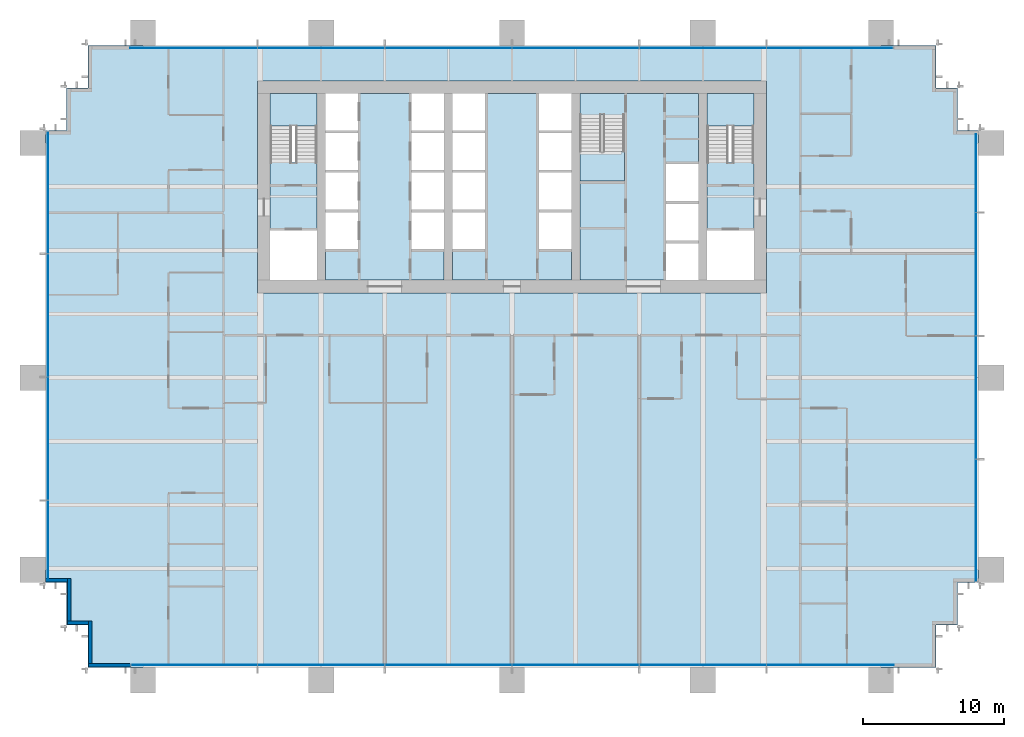
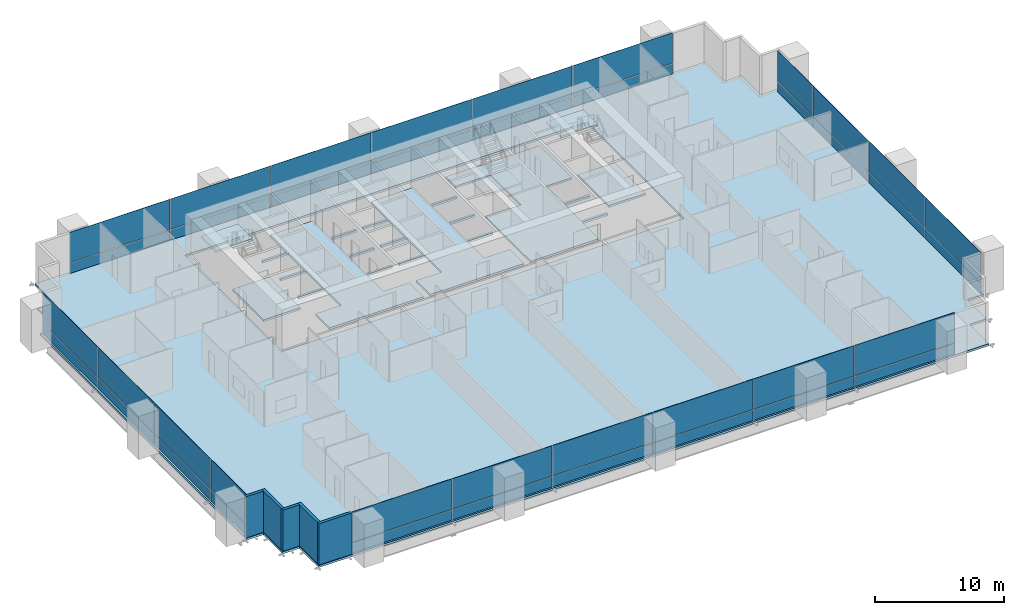
# One storey, part 10 of 18: 40 plates, 9 slabs, 5 walls, 7 elements without a shape of their own.
"""IFC4 building model written with IfcOpenShell, lengths in metres."""

from ifc_helpers import new_model, si_unit, direction, frame, frame_2d, origin, origin_2d, place, context, subcontext, project, spatial, polyline, rectangle, outline, extrude, material, layer, layer_set, type_object, element, aggregate, save


model = new_model("IFC4")

# Units and contexts
model_context = context("Model", 3, precision=1e-05, world=origin(), true_north=direction((0.0, 1.0)))
body_context = subcontext(model_context, "Body", "Model", "MODEL_VIEW")
ifc_project = project(units=[si_unit("LENGTHUNIT", "METRE"), si_unit("AREAUNIT", "SQUARE_METRE"), si_unit("VOLUMEUNIT", "CUBIC_METRE"), si_unit("PLANEANGLEUNIT", "RADIAN"), si_unit("MASSUNIT", "GRAM", prefix="KILO")], contexts=[model_context])

# Site, building, storey
site_placement = place(None, origin())
site = spatial("IfcSite", under=ifc_project, at=site_placement, CompositionType="ELEMENT")
building_placement = place(site_placement, origin())
building = spatial("IfcBuilding", under=site, at=building_placement, Name="Rattan Terrace Tower", CompositionType="ELEMENT")
storey_placement = place(building_placement, frame((0.0, 0.0, 36.5)))
storey = spatial("IfcBuildingStorey", under=building, at=storey_placement, Name="L07", CompositionType="ELEMENT", Elevation=36.5)

# Stair, slab
ifc_material_1 = material(Name="Concrete C40/50", Category="concrete")
stair_type = type_object("IfcStairType", Name="Core exit stair 1500", PredefinedType="HALF_TURN_STAIR", material=ifc_material_1)
stair_1_placement = place(storey_placement, origin())
stair_1 = element("IfcStair", 1, at=stair_1_placement, inside=storey, type_object=stair_type, Name="L07 exit stair 1", PredefinedType="HALF_TURN_STAIR")
ifc_material_2 = material(Name="Concrete C40/50", Category="concrete")
ifc_layer_1 = layer(ifc_material_2, 0.199951171875)
ifc_layer_set_1 = layer_set([ifc_layer_1], Name="Core exit stair landing")
slab_type_1 = type_object("IfcSlabType", Name="Core exit stair landing", PredefinedType="LANDING", material=ifc_layer_set_1)
slab_1_placement = place(storey_placement, frame((0.0, 0.0, 1.85009765625)))
slab_1 = element("IfcSlab", 2, at=slab_1_placement, type_object=slab_type_1, Name="S1 landing 1", PredefinedType="LANDING", context=body_context, shape_type="SweptSolid", body=[
    extrude(outline(polyline([(-13.800048828125, 4.300048828125), (-13.800048828125, 6.60009765625), (-17.10009765625, 6.60009765625), (-17.10009765625, 4.300048828125), (-13.800048828125, 4.300048828125)])), origin(), (0.0, 0.0, 1.0), 0.199951171875),
])
aggregate(stair_1, [slab_1])

stair_2_placement = place(storey_placement, origin())
stair_2 = element("IfcStair", 3, at=stair_2_placement, inside=storey, type_object=stair_type, Name="L07 exit stair 2", PredefinedType="HALF_TURN_STAIR")
slab_2_placement = place(storey_placement, frame((0.0, 0.0, 1.85009765625)))
slab_2 = element("IfcSlab", 4, at=slab_2_placement, type_object=slab_type_1, Name="S2 landing 1", PredefinedType="LANDING", context=body_context, shape_type="SweptSolid", body=[
    extrude(outline(polyline([(17.10009765625, 4.300048828125), (17.10009765625, 6.60009765625), (13.800048828125, 6.60009765625), (13.800048828125, 4.300048828125), (17.10009765625, 4.300048828125)])), origin(), (0.0, 0.0, 1.0), 0.199951171875),
])
aggregate(stair_2, [slab_2])

stair_3_placement = place(storey_placement, origin())
stair_3 = element("IfcStair", 5, at=stair_3_placement, inside=storey, type_object=stair_type, Name="L07 exit stair 3", PredefinedType="HALF_TURN_STAIR")
slab_3_placement = place(storey_placement, frame((0.0, 0.0, 1.85009765625)))
slab_3 = element("IfcSlab", 6, at=slab_3_placement, type_object=slab_type_1, Name="S3 landing 1", PredefinedType="LANDING", context=body_context, shape_type="SweptSolid", body=[
    extrude(outline(polyline([(4.800048828125, 2.5), (4.800048828125, 0.39990234375), (7.949951171875, 0.39990234375), (7.949951171875, 2.5), (4.800048828125, 2.5)])), origin(), (0.0, 0.0, 1.0), 0.199951171875),
])
aggregate(stair_3, [slab_3])

# Curtain wall, plates
ifc_material_3 = material(Name="Aluminium and glass", Category="aluminium")
curtain_wall_type = type_object("IfcCurtainWallType", Name="Facade Unitised Curtain Wall", PredefinedType="NOTDEFINED", material=ifc_material_3)
curtain_wall_1_placement = place(storey_placement, origin())
curtain_wall_1 = element("IfcCurtainWall", 7, at=curtain_wall_1_placement, inside=storey, type_object=curtain_wall_type, Name="Curtain wall L07-1", PredefinedType="NOTDEFINED")
ifc_material_4 = material(Name="Aluminium insulated spandrel panel", Category="aluminium")
ifc_layer_2 = layer(ifc_material_4, 0.028076171875)
ifc_layer_set_2 = layer_set([ifc_layer_2], Name="Facade CW Spandrel Panel")
plate_type_1 = type_object("IfcPlateType", Name="Facade CW Spandrel Panel", PredefinedType="CURTAIN_PANEL", material=ifc_layer_set_2)
plate_1_placement = place(storey_placement, frame((32.830078125, -23.59912109375, 0.0), z_axis=(0.0, 0.0, 1.0), x_axis=(0.0, 1.0, 0.0)))
plate_1 = element("IfcPlate", 8, at=plate_1_placement, type_object=plate_type_1, Name="Panel cwl-L07-001.1.1", PredefinedType="CURTAIN_PANEL", context=body_context, shape_type="SweptSolid", body=[
    extrude(rectangle(XDim=8.592041015625, YDim=0.028076171875, at=origin_2d()), origin(), (0.0, 0.0, 1.0), 0.969970703125),
])
plate_2_placement = place(storey_placement, frame((32.830078125, -14.909423828125, 0.0), z_axis=(0.0, 0.0, 1.0), x_axis=(0.0, 1.0, 0.0)))
plate_2 = element("IfcPlate", 9, at=plate_2_placement, type_object=plate_type_1, Name="Panel cwl-L07-001.2.1", PredefinedType="CURTAIN_PANEL", context=body_context, shape_type="SweptSolid", body=[
    extrude(rectangle(XDim=8.6669921875, YDim=0.028076171875, at=origin_2d()), origin(), (0.0, 0.0, 1.0), 0.969970703125),
])
plate_3_placement = place(storey_placement, frame((32.830078125, -6.1826171875, 0.0), z_axis=(0.0, 0.0, 1.0), x_axis=(0.0, 1.0, 0.0)))
plate_3 = element("IfcPlate", 10, at=plate_3_placement, type_object=plate_type_1, Name="Panel cwl-L07-001.3.1", PredefinedType="CURTAIN_PANEL", context=body_context, shape_type="SweptSolid", body=[
    extrude(rectangle(XDim=8.6669921875, YDim=0.028076171875, at=origin_2d()), origin(), (0.0, 0.0, 1.0), 0.969970703125),
])
plate_4_placement = place(storey_placement, frame((32.830078125, 0.9580078125, 0.0), z_axis=(0.0, 0.0, 1.0), x_axis=(0.0, 1.0, 0.0)))
plate_4 = element("IfcPlate", 11, at=plate_4_placement, type_object=plate_type_1, Name="Panel cwl-L07-001.4.1", PredefinedType="CURTAIN_PANEL", context=body_context, shape_type="SweptSolid", body=[
    extrude(rectangle(XDim=5.493896484375, YDim=0.028076171875, at=origin_2d()), origin(), (0.0, 0.0, 1.0), 0.969970703125),
])

curtain_wall_2_placement = place(storey_placement, origin())
curtain_wall_2 = element("IfcCurtainWall", 12, at=curtain_wall_2_placement, inside=storey, type_object=curtain_wall_type, Name="Curtain wall L07-2", PredefinedType="NOTDEFINED")
plate_5_placement = place(storey_placement, frame((22.485107421875, 9.830078125, 0.0), z_axis=(0.0, 0.0, 1.0), x_axis=(-1.0, 0.0, 0.0)))
plate_5 = element("IfcPlate", 13, at=plate_5_placement, type_object=plate_type_1, Name="Panel cwl-L07-002.1.1", PredefinedType="CURTAIN_PANEL", context=body_context, shape_type="SweptSolid", body=[
    extrude(rectangle(XDim=8.909912109375, YDim=0.028076171875, at=origin_2d()), origin(), (0.0, 0.0, 1.0), 0.969970703125),
])
plate_6_placement = place(storey_placement, frame((13.5, 9.830078125, 0.0), z_axis=(0.0, 0.0, 1.0), x_axis=(-1.0, 0.0, 0.0)))
plate_6 = element("IfcPlate", 14, at=plate_6_placement, type_object=plate_type_1, Name="Panel cwl-L07-002.2.1", PredefinedType="CURTAIN_PANEL", context=body_context, shape_type="SweptSolid", body=[
    extrude(rectangle(XDim=8.93994140625, YDim=0.028076171875, at=origin_2d()), origin(), (0.0, 0.0, 1.0), 0.969970703125),
])
plate_7_placement = place(storey_placement, frame((4.5, 9.830078125, 0.0), z_axis=(0.0, 0.0, 1.0), x_axis=(-1.0, 0.0, 0.0)))
plate_7 = element("IfcPlate", 15, at=plate_7_placement, type_object=plate_type_1, Name="Panel cwl-L07-002.3.1", PredefinedType="CURTAIN_PANEL", context=body_context, shape_type="SweptSolid", body=[
    extrude(rectangle(XDim=8.93994140625, YDim=0.028076171875, at=origin_2d()), origin(), (0.0, 0.0, 1.0), 0.969970703125),
])
plate_8_placement = place(storey_placement, frame((-4.5, 9.830078125, 0.0), z_axis=(0.0, 0.0, 1.0), x_axis=(-1.0, 0.0, 0.0)))
plate_8 = element("IfcPlate", 16, at=plate_8_placement, type_object=plate_type_1, Name="Panel cwl-L07-002.4.1", PredefinedType="CURTAIN_PANEL", context=body_context, shape_type="SweptSolid", body=[
    extrude(rectangle(XDim=8.93994140625, YDim=0.028076171875, at=origin_2d()), origin(), (0.0, 0.0, 1.0), 0.969970703125),
])
plate_9_placement = place(storey_placement, frame((-13.5, 9.830078125, 0.0), z_axis=(0.0, 0.0, 1.0), x_axis=(-1.0, 0.0, 0.0)))
plate_9 = element("IfcPlate", 17, at=plate_9_placement, type_object=plate_type_1, Name="Panel cwl-L07-002.5.1", PredefinedType="CURTAIN_PANEL", context=body_context, shape_type="SweptSolid", body=[
    extrude(rectangle(XDim=8.93994140625, YDim=0.028076171875, at=origin_2d()), origin(), (0.0, 0.0, 1.0), 0.969970703125),
])
plate_10_placement = place(storey_placement, frame((-22.514892578125, 9.830078125, 0.0), z_axis=(0.0, 0.0, 1.0), x_axis=(-1.0, 0.0, 0.0)))
plate_10 = element("IfcPlate", 18, at=plate_10_placement, type_object=plate_type_1, Name="Panel cwl-L07-002.6.1", PredefinedType="CURTAIN_PANEL", context=body_context, shape_type="SweptSolid", body=[
    extrude(rectangle(XDim=8.969970703125, YDim=0.028076171875, at=origin_2d()), origin(), (0.0, 0.0, 1.0), 0.969970703125),
])

curtain_wall_3_placement = place(storey_placement, origin())
curtain_wall_3 = element("IfcCurtainWall", 19, at=curtain_wall_3_placement, inside=storey, type_object=curtain_wall_type, Name="Curtain wall L07-3", PredefinedType="NOTDEFINED")
plate_11_placement = place(storey_placement, frame((-32.830078125, -0.40087890625, 0.0), z_axis=(0.0, 0.0, 1.0), x_axis=(0.0, -1.0, 0.0)))
plate_11 = element("IfcPlate", 20, at=plate_11_placement, type_object=plate_type_1, Name="Panel cwl-L07-003.1.1", PredefinedType="CURTAIN_PANEL", context=body_context, shape_type="SweptSolid", body=[
    extrude(rectangle(XDim=8.592041015625, YDim=0.028076171875, at=origin_2d()), origin(), (0.0, 0.0, 1.0), 0.969970703125),
])
plate_12_placement = place(storey_placement, frame((-32.830078125, -9.090576171875, 0.0), z_axis=(0.0, 0.0, 1.0), x_axis=(0.0, -1.0, 0.0)))
plate_12 = element("IfcPlate", 21, at=plate_12_placement, type_object=plate_type_1, Name="Panel cwl-L07-003.2.1", PredefinedType="CURTAIN_PANEL", context=body_context, shape_type="SweptSolid", body=[
    extrude(rectangle(XDim=8.6669921875, YDim=0.028076171875, at=origin_2d()), origin(), (0.0, 0.0, 1.0), 0.969970703125),
])
plate_13_placement = place(storey_placement, frame((-32.830078125, -17.8173828125, 0.0), z_axis=(0.0, 0.0, 1.0), x_axis=(0.0, -1.0, 0.0)))
plate_13 = element("IfcPlate", 22, at=plate_13_placement, type_object=plate_type_1, Name="Panel cwl-L07-003.3.1", PredefinedType="CURTAIN_PANEL", context=body_context, shape_type="SweptSolid", body=[
    extrude(rectangle(XDim=8.6669921875, YDim=0.028076171875, at=origin_2d()), origin(), (0.0, 0.0, 1.0), 0.969970703125),
])
plate_14_placement = place(storey_placement, frame((-32.830078125, -24.9580078125, 0.0), z_axis=(0.0, 0.0, 1.0), x_axis=(0.0, -1.0, 0.0)))
plate_14 = element("IfcPlate", 23, at=plate_14_placement, type_object=plate_type_1, Name="Panel cwl-L07-003.4.1", PredefinedType="CURTAIN_PANEL", context=body_context, shape_type="SweptSolid", body=[
    extrude(rectangle(XDim=5.493896484375, YDim=0.028076171875, at=origin_2d()), origin(), (0.0, 0.0, 1.0), 0.969970703125),
])

curtain_wall_4_placement = place(storey_placement, origin())
curtain_wall_4 = element("IfcCurtainWall", 24, at=curtain_wall_4_placement, inside=storey, type_object=curtain_wall_type, Name="Curtain wall L07-4", PredefinedType="NOTDEFINED")
plate_15_placement = place(storey_placement, frame((-22.485107421875, -33.830078125, 0.0), z_axis=(0.0, 0.0, 1.0), x_axis=(1.0, 0.0, 0.0)))
plate_15 = element("IfcPlate", 25, at=plate_15_placement, type_object=plate_type_1, Name="Panel cwl-L07-004.1.1", PredefinedType="CURTAIN_PANEL", context=body_context, shape_type="SweptSolid", body=[
    extrude(rectangle(XDim=8.909912109375, YDim=0.028076171875, at=origin_2d()), origin(), (0.0, 0.0, 1.0), 0.969970703125),
])
plate_16_placement = place(storey_placement, frame((-13.5, -33.830078125, 0.0), z_axis=(0.0, 0.0, 1.0), x_axis=(1.0, 0.0, 0.0)))
plate_16 = element("IfcPlate", 26, at=plate_16_placement, type_object=plate_type_1, Name="Panel cwl-L07-004.2.1", PredefinedType="CURTAIN_PANEL", context=body_context, shape_type="SweptSolid", body=[
    extrude(rectangle(XDim=8.93994140625, YDim=0.028076171875, at=origin_2d()), origin(), (0.0, 0.0, 1.0), 0.969970703125),
])
plate_17_placement = place(storey_placement, frame((-4.5, -33.830078125, 0.0), z_axis=(0.0, 0.0, 1.0), x_axis=(1.0, 0.0, 0.0)))
plate_17 = element("IfcPlate", 27, at=plate_17_placement, type_object=plate_type_1, Name="Panel cwl-L07-004.3.1", PredefinedType="CURTAIN_PANEL", context=body_context, shape_type="SweptSolid", body=[
    extrude(rectangle(XDim=8.93994140625, YDim=0.028076171875, at=origin_2d()), origin(), (0.0, 0.0, 1.0), 0.969970703125),
])
plate_18_placement = place(storey_placement, frame((4.5, -33.830078125, 0.0), z_axis=(0.0, 0.0, 1.0), x_axis=(1.0, 0.0, 0.0)))
plate_18 = element("IfcPlate", 28, at=plate_18_placement, type_object=plate_type_1, Name="Panel cwl-L07-004.4.1", PredefinedType="CURTAIN_PANEL", context=body_context, shape_type="SweptSolid", body=[
    extrude(rectangle(XDim=8.93994140625, YDim=0.028076171875, at=origin_2d()), origin(), (0.0, 0.0, 1.0), 0.969970703125),
])
plate_19_placement = place(storey_placement, frame((13.5, -33.830078125, 0.0), z_axis=(0.0, 0.0, 1.0), x_axis=(1.0, 0.0, 0.0)))
plate_19 = element("IfcPlate", 29, at=plate_19_placement, type_object=plate_type_1, Name="Panel cwl-L07-004.5.1", PredefinedType="CURTAIN_PANEL", context=body_context, shape_type="SweptSolid", body=[
    extrude(rectangle(XDim=8.93994140625, YDim=0.028076171875, at=origin_2d()), origin(), (0.0, 0.0, 1.0), 0.969970703125),
])
plate_20_placement = place(storey_placement, frame((22.514892578125, -33.830078125, 0.0), z_axis=(0.0, 0.0, 1.0), x_axis=(1.0, 0.0, 0.0)))
plate_20 = element("IfcPlate", 30, at=plate_20_placement, type_object=plate_type_1, Name="Panel cwl-L07-004.6.1", PredefinedType="CURTAIN_PANEL", context=body_context, shape_type="SweptSolid", body=[
    extrude(rectangle(XDim=8.969970703125, YDim=0.028076171875, at=origin_2d()), origin(), (0.0, 0.0, 1.0), 0.969970703125),
])

# Plate
ifc_material_5 = material(Name="Clear low-iron glass", Category="glass")
ifc_layer_3 = layer(ifc_material_5, 0.028076171875)
ifc_layer_set_3 = layer_set([ifc_layer_3], Name="Facade CW Vision Panel")
plate_type_2 = type_object("IfcPlateType", Name="Facade CW Vision Panel", PredefinedType="CURTAIN_PANEL", material=ifc_layer_set_3)
plate_21_placement = place(storey_placement, frame((32.830078125, -23.59912109375, 1.030029296875), z_axis=(0.0, 0.0, 1.0), x_axis=(0.0, 1.0, 0.0)))
plate_21 = element("IfcPlate", 31, at=plate_21_placement, type_object=plate_type_2, Name="Panel cwl-L07-001.1.2", PredefinedType="CURTAIN_PANEL", context=body_context, shape_type="SweptSolid", body=[
    extrude(rectangle(XDim=8.592041015625, YDim=0.028076171875, at=origin_2d()), origin(), (0.0, 0.0, 1.0), 2.8701171875),
])

plate_22_placement = place(storey_placement, frame((32.830078125, -14.909423828125, 1.030029296875), z_axis=(0.0, 0.0, 1.0), x_axis=(0.0, 1.0, 0.0)))
plate_22 = element("IfcPlate", 32, at=plate_22_placement, type_object=plate_type_2, Name="Panel cwl-L07-001.2.2", PredefinedType="CURTAIN_PANEL", context=body_context, shape_type="SweptSolid", body=[
    extrude(rectangle(XDim=8.6669921875, YDim=0.028076171875, at=origin_2d()), origin(), (0.0, 0.0, 1.0), 2.8701171875),
])

plate_23_placement = place(storey_placement, frame((32.830078125, -6.1826171875, 1.030029296875), z_axis=(0.0, 0.0, 1.0), x_axis=(0.0, 1.0, 0.0)))
plate_23 = element("IfcPlate", 33, at=plate_23_placement, type_object=plate_type_2, Name="Panel cwl-L07-001.3.2", PredefinedType="CURTAIN_PANEL", context=body_context, shape_type="SweptSolid", body=[
    extrude(rectangle(XDim=8.6669921875, YDim=0.028076171875, at=origin_2d()), origin(), (0.0, 0.0, 1.0), 2.8701171875),
])

plate_24_placement = place(storey_placement, frame((32.830078125, 0.9580078125, 1.030029296875), z_axis=(0.0, 0.0, 1.0), x_axis=(0.0, 1.0, 0.0)))
plate_24 = element("IfcPlate", 34, at=plate_24_placement, type_object=plate_type_2, Name="Panel cwl-L07-001.4.2", PredefinedType="CURTAIN_PANEL", context=body_context, shape_type="SweptSolid", body=[
    extrude(rectangle(XDim=5.493896484375, YDim=0.028076171875, at=origin_2d()), origin(), (0.0, 0.0, 1.0), 2.8701171875),
])

aggregate(curtain_wall_1, [plate_1, plate_21, plate_2, plate_22, plate_3, plate_23, plate_4, plate_24])

plate_25_placement = place(storey_placement, frame((22.485107421875, 9.830078125, 1.030029296875), z_axis=(0.0, 0.0, 1.0), x_axis=(-1.0, 0.0, 0.0)))
plate_25 = element("IfcPlate", 35, at=plate_25_placement, type_object=plate_type_2, Name="Panel cwl-L07-002.1.2", PredefinedType="CURTAIN_PANEL", context=body_context, shape_type="SweptSolid", body=[
    extrude(rectangle(XDim=8.909912109375, YDim=0.028076171875, at=origin_2d()), origin(), (0.0, 0.0, 1.0), 2.8701171875),
])

plate_26_placement = place(storey_placement, frame((13.5, 9.830078125, 1.030029296875), z_axis=(0.0, 0.0, 1.0), x_axis=(-1.0, 0.0, 0.0)))
plate_26 = element("IfcPlate", 36, at=plate_26_placement, type_object=plate_type_2, Name="Panel cwl-L07-002.2.2", PredefinedType="CURTAIN_PANEL", context=body_context, shape_type="SweptSolid", body=[
    extrude(rectangle(XDim=8.93994140625, YDim=0.028076171875, at=origin_2d()), origin(), (0.0, 0.0, 1.0), 2.8701171875),
])

plate_27_placement = place(storey_placement, frame((4.5, 9.830078125, 1.030029296875), z_axis=(0.0, 0.0, 1.0), x_axis=(-1.0, 0.0, 0.0)))
plate_27 = element("IfcPlate", 37, at=plate_27_placement, type_object=plate_type_2, Name="Panel cwl-L07-002.3.2", PredefinedType="CURTAIN_PANEL", context=body_context, shape_type="SweptSolid", body=[
    extrude(rectangle(XDim=8.93994140625, YDim=0.028076171875, at=origin_2d()), origin(), (0.0, 0.0, 1.0), 2.8701171875),
])

plate_28_placement = place(storey_placement, frame((-4.5, 9.830078125, 1.030029296875), z_axis=(0.0, 0.0, 1.0), x_axis=(-1.0, 0.0, 0.0)))
plate_28 = element("IfcPlate", 38, at=plate_28_placement, type_object=plate_type_2, Name="Panel cwl-L07-002.4.2", PredefinedType="CURTAIN_PANEL", context=body_context, shape_type="SweptSolid", body=[
    extrude(rectangle(XDim=8.93994140625, YDim=0.028076171875, at=origin_2d()), origin(), (0.0, 0.0, 1.0), 2.8701171875),
])

plate_29_placement = place(storey_placement, frame((-13.5, 9.830078125, 1.030029296875), z_axis=(0.0, 0.0, 1.0), x_axis=(-1.0, 0.0, 0.0)))
plate_29 = element("IfcPlate", 39, at=plate_29_placement, type_object=plate_type_2, Name="Panel cwl-L07-002.5.2", PredefinedType="CURTAIN_PANEL", context=body_context, shape_type="SweptSolid", body=[
    extrude(rectangle(XDim=8.93994140625, YDim=0.028076171875, at=origin_2d()), origin(), (0.0, 0.0, 1.0), 2.8701171875),
])

plate_30_placement = place(storey_placement, frame((-22.514892578125, 9.830078125, 1.030029296875), z_axis=(0.0, 0.0, 1.0), x_axis=(-1.0, 0.0, 0.0)))
plate_30 = element("IfcPlate", 40, at=plate_30_placement, type_object=plate_type_2, Name="Panel cwl-L07-002.6.2", PredefinedType="CURTAIN_PANEL", context=body_context, shape_type="SweptSolid", body=[
    extrude(rectangle(XDim=8.969970703125, YDim=0.028076171875, at=origin_2d()), origin(), (0.0, 0.0, 1.0), 2.8701171875),
])

aggregate(curtain_wall_2, [plate_5, plate_25, plate_6, plate_26, plate_7, plate_27, plate_8, plate_28, plate_9, plate_29, plate_10, plate_30])

plate_31_placement = place(storey_placement, frame((-32.830078125, -0.40087890625, 1.030029296875), z_axis=(0.0, 0.0, 1.0), x_axis=(0.0, -1.0, 0.0)))
plate_31 = element("IfcPlate", 41, at=plate_31_placement, type_object=plate_type_2, Name="Panel cwl-L07-003.1.2", PredefinedType="CURTAIN_PANEL", context=body_context, shape_type="SweptSolid", body=[
    extrude(rectangle(XDim=8.592041015625, YDim=0.028076171875, at=origin_2d()), origin(), (0.0, 0.0, 1.0), 2.8701171875),
])

plate_32_placement = place(storey_placement, frame((-32.830078125, -9.090576171875, 1.030029296875), z_axis=(0.0, 0.0, 1.0), x_axis=(0.0, -1.0, 0.0)))
plate_32 = element("IfcPlate", 42, at=plate_32_placement, type_object=plate_type_2, Name="Panel cwl-L07-003.2.2", PredefinedType="CURTAIN_PANEL", context=body_context, shape_type="SweptSolid", body=[
    extrude(rectangle(XDim=8.6669921875, YDim=0.028076171875, at=origin_2d()), origin(), (0.0, 0.0, 1.0), 2.8701171875),
])

plate_33_placement = place(storey_placement, frame((-32.830078125, -17.8173828125, 1.030029296875), z_axis=(0.0, 0.0, 1.0), x_axis=(0.0, -1.0, 0.0)))
plate_33 = element("IfcPlate", 43, at=plate_33_placement, type_object=plate_type_2, Name="Panel cwl-L07-003.3.2", PredefinedType="CURTAIN_PANEL", context=body_context, shape_type="SweptSolid", body=[
    extrude(rectangle(XDim=8.6669921875, YDim=0.028076171875, at=origin_2d()), origin(), (0.0, 0.0, 1.0), 2.8701171875),
])

plate_34_placement = place(storey_placement, frame((-32.830078125, -24.9580078125, 1.030029296875), z_axis=(0.0, 0.0, 1.0), x_axis=(0.0, -1.0, 0.0)))
plate_34 = element("IfcPlate", 44, at=plate_34_placement, type_object=plate_type_2, Name="Panel cwl-L07-003.4.2", PredefinedType="CURTAIN_PANEL", context=body_context, shape_type="SweptSolid", body=[
    extrude(rectangle(XDim=5.493896484375, YDim=0.028076171875, at=origin_2d()), origin(), (0.0, 0.0, 1.0), 2.8701171875),
])

aggregate(curtain_wall_3, [plate_11, plate_31, plate_12, plate_32, plate_13, plate_33, plate_14, plate_34])

plate_35_placement = place(storey_placement, frame((-22.485107421875, -33.830078125, 1.030029296875), z_axis=(0.0, 0.0, 1.0), x_axis=(1.0, 0.0, 0.0)))
plate_35 = element("IfcPlate", 45, at=plate_35_placement, type_object=plate_type_2, Name="Panel cwl-L07-004.1.2", PredefinedType="CURTAIN_PANEL", context=body_context, shape_type="SweptSolid", body=[
    extrude(rectangle(XDim=8.909912109375, YDim=0.028076171875, at=origin_2d()), origin(), (0.0, 0.0, 1.0), 2.8701171875),
])

plate_36_placement = place(storey_placement, frame((-13.5, -33.830078125, 1.030029296875), z_axis=(0.0, 0.0, 1.0), x_axis=(1.0, 0.0, 0.0)))
plate_36 = element("IfcPlate", 46, at=plate_36_placement, type_object=plate_type_2, Name="Panel cwl-L07-004.2.2", PredefinedType="CURTAIN_PANEL", context=body_context, shape_type="SweptSolid", body=[
    extrude(rectangle(XDim=8.93994140625, YDim=0.028076171875, at=origin_2d()), origin(), (0.0, 0.0, 1.0), 2.8701171875),
])

plate_37_placement = place(storey_placement, frame((-4.5, -33.830078125, 1.030029296875), z_axis=(0.0, 0.0, 1.0), x_axis=(1.0, 0.0, 0.0)))
plate_37 = element("IfcPlate", 47, at=plate_37_placement, type_object=plate_type_2, Name="Panel cwl-L07-004.3.2", PredefinedType="CURTAIN_PANEL", context=body_context, shape_type="SweptSolid", body=[
    extrude(rectangle(XDim=8.93994140625, YDim=0.028076171875, at=origin_2d()), origin(), (0.0, 0.0, 1.0), 2.8701171875),
])

plate_38_placement = place(storey_placement, frame((4.5, -33.830078125, 1.030029296875), z_axis=(0.0, 0.0, 1.0), x_axis=(1.0, 0.0, 0.0)))
plate_38 = element("IfcPlate", 48, at=plate_38_placement, type_object=plate_type_2, Name="Panel cwl-L07-004.4.2", PredefinedType="CURTAIN_PANEL", context=body_context, shape_type="SweptSolid", body=[
    extrude(rectangle(XDim=8.93994140625, YDim=0.028076171875, at=origin_2d()), origin(), (0.0, 0.0, 1.0), 2.8701171875),
])

plate_39_placement = place(storey_placement, frame((13.5, -33.830078125, 1.030029296875), z_axis=(0.0, 0.0, 1.0), x_axis=(1.0, 0.0, 0.0)))
plate_39 = element("IfcPlate", 49, at=plate_39_placement, type_object=plate_type_2, Name="Panel cwl-L07-004.5.2", PredefinedType="CURTAIN_PANEL", context=body_context, shape_type="SweptSolid", body=[
    extrude(rectangle(XDim=8.93994140625, YDim=0.028076171875, at=origin_2d()), origin(), (0.0, 0.0, 1.0), 2.8701171875),
])

plate_40_placement = place(storey_placement, frame((22.514892578125, -33.830078125, 1.030029296875), z_axis=(0.0, 0.0, 1.0), x_axis=(1.0, 0.0, 0.0)))
plate_40 = element("IfcPlate", 50, at=plate_40_placement, type_object=plate_type_2, Name="Panel cwl-L07-004.6.2", PredefinedType="CURTAIN_PANEL", context=body_context, shape_type="SweptSolid", body=[
    extrude(rectangle(XDim=8.969970703125, YDim=0.028076171875, at=origin_2d()), origin(), (0.0, 0.0, 1.0), 2.8701171875),
])

aggregate(curtain_wall_4, [plate_15, plate_35, plate_16, plate_36, plate_17, plate_37, plate_18, plate_38, plate_19, plate_39, plate_20, plate_40])

# Slabs
ifc_material_6 = material(Name="Concrete C35/45", Category="concrete")
ifc_layer_4 = layer(ifc_material_6, 0.199951171875)
ifc_layer_set_4 = layer_set([ifc_layer_4], Name="Frame composite floor slab 200")
slab_type_2 = type_object("IfcSlabType", Name="Frame composite floor slab 200", PredefinedType="FLOOR", material=ifc_layer_set_4)
slab_4_placement = place(storey_placement, frame((0.0, 0.0, -0.199951171875)))
element("IfcSlab", 51, at=slab_4_placement, inside=storey, type_object=slab_type_2, Name="Floor slab", PredefinedType="FLOOR", context=body_context, shape_type="SweptSolid", body=[
    extrude(outline(polyline([(-27.0, -34.0), (27.0, -34.0), (30.0, -34.0), (30.0, -31.0), (31.5, -31.0), (31.5, -28.0), (33.0, -28.0), (33.0, 4.0), (31.5, 4.0), (31.5, 7.0), (30.0, 7.0), (30.0, 10.0), (27.0, 10.0), (-27.0, 10.0), (-30.0, 10.0), (-30.0, 7.0), (-31.5, 7.0), (-31.5, 4.0), (-33.0, 4.0), (-33.0, -28.0), (-31.5, -28.0), (-31.5, -31.0), (-30.0, -31.0), (-30.0, -34.0), (-27.0, -34.0)]), holes=[polyline([(-18.0, -6.60009765625), (-18.0, -7.5), (18.0, -7.5), (18.0, -6.60009765625), (18.0, 6.60009765625), (18.0, 7.5), (-18.0, 7.5), (-18.0, 6.60009765625), (-18.0, -6.60009765625)])]), origin(), (0.0, 0.0, 1.0), 0.199951171875),
])
slab_5_placement = place(storey_placement, frame((0.0, 0.0, -0.199951171875)))
element("IfcSlab", 52, at=slab_5_placement, inside=storey, type_object=slab_type_2, Name="Floor slab", PredefinedType="FLOOR", context=body_context, shape_type="SweptSolid", body=[
    extrude(outline(polyline([(-10.89990234375, 6.60009765625), (-10.89990234375, 4.0), (-13.199951171875, 4.0), (-13.199951171875, 3.800048828125), (-10.89990234375, 3.800048828125), (-10.89990234375, 1.199951171875), (-13.199951171875, 1.199951171875), (-13.199951171875, 1.0), (-10.89990234375, 1.0), (-10.89990234375, -1.60009765625), (-13.199951171875, -1.60009765625), (-13.199951171875, -1.800048828125), (-10.89990234375, -1.800048828125), (-10.89990234375, -4.39990234375), (-13.199951171875, -4.39990234375), (-13.199951171875, -6.60009765625), (-4.800048828125, -6.60009765625), (-4.800048828125, -4.39990234375), (-7.10009765625, -4.39990234375), (-7.10009765625, -1.800048828125), (-4.800048828125, -1.800048828125), (-4.800048828125, -1.60009765625), (-7.10009765625, -1.60009765625), (-7.10009765625, 1.0), (-4.800048828125, 1.0), (-4.800048828125, 1.199951171875), (-7.10009765625, 1.199951171875), (-7.10009765625, 3.800048828125), (-4.800048828125, 3.800048828125), (-4.800048828125, 4.0), (-7.10009765625, 4.0), (-7.10009765625, 6.60009765625), (-10.89990234375, 6.60009765625)])), origin(), (0.0, 0.0, 1.0), 0.199951171875),
])
slab_6_placement = place(storey_placement, frame((0.0, 0.0, -0.199951171875)))
element("IfcSlab", 53, at=slab_6_placement, inside=storey, type_object=slab_type_2, Name="Floor slab", PredefinedType="FLOOR", context=body_context, shape_type="SweptSolid", body=[
    extrude(outline(polyline([(-17.10009765625, -3.10009765625), (-13.800048828125, -3.10009765625), (-13.800048828125, 1.7099609375), (-17.10009765625, 1.7099609375), (-17.10009765625, -3.10009765625)])), origin(), (0.0, 0.0, 1.0), 0.199951171875),
])
slab_7_placement = place(storey_placement, frame((0.0, 0.0, -0.199951171875)))
element("IfcSlab", 54, at=slab_7_placement, inside=storey, type_object=slab_type_2, Name="Floor slab", PredefinedType="FLOOR", context=body_context, shape_type="SweptSolid", body=[
    extrude(outline(polyline([(-4.199951171875, 4.0), (-4.199951171875, 3.800048828125), (-1.89990234375, 3.800048828125), (-1.89990234375, 1.199951171875), (-4.199951171875, 1.199951171875), (-4.199951171875, 1.0), (-1.89990234375, 1.0), (-1.89990234375, -1.60009765625), (-4.199951171875, -1.60009765625), (-4.199951171875, -1.800048828125), (-1.89990234375, -1.800048828125), (-1.89990234375, -4.39990234375), (-4.199951171875, -4.39990234375), (-4.199951171875, -6.60009765625), (4.199951171875, -6.60009765625), (4.199951171875, -4.39990234375), (1.89990234375, -4.39990234375), (1.89990234375, -1.800048828125), (4.199951171875, -1.800048828125), (4.199951171875, -1.60009765625), (1.89990234375, -1.60009765625), (1.89990234375, 1.0), (4.199951171875, 1.0), (4.199951171875, 1.199951171875), (1.89990234375, 1.199951171875), (1.89990234375, 3.800048828125), (4.199951171875, 3.800048828125), (4.199951171875, 4.0), (1.89990234375, 4.0), (1.89990234375, 6.60009765625), (-1.89990234375, 6.60009765625), (-1.89990234375, 4.0), (-4.199951171875, 4.0)])), origin(), (0.0, 0.0, 1.0), 0.199951171875),
])
slab_8_placement = place(storey_placement, frame((0.0, 0.0, -0.199951171875)))
element("IfcSlab", 55, at=slab_8_placement, inside=storey, type_object=slab_type_2, Name="Floor slab", PredefinedType="FLOOR", context=body_context, shape_type="SweptSolid", body=[
    extrude(outline(polyline([(4.800048828125, 5.090087890625), (7.949951171875, 5.090087890625), (7.949951171875, 0.39990234375), (4.800048828125, 0.39990234375), (4.800048828125, -6.60009765625), (10.89990234375, -6.60009765625), (10.89990234375, -4.0), (13.199951171875, -4.0), (13.199951171875, -3.800048828125), (10.89990234375, -3.800048828125), (10.89990234375, -1.199951171875), (13.199951171875, -1.199951171875), (13.199951171875, -1.0), (10.89990234375, -1.0), (10.89990234375, 1.60009765625), (13.199951171875, 1.60009765625), (13.199951171875, 6.60009765625), (4.800048828125, 6.60009765625), (4.800048828125, 5.090087890625)])), origin(), (0.0, 0.0, 1.0), 0.199951171875),
])
slab_9_placement = place(storey_placement, frame((0.0, 0.0, -0.199951171875)))
element("IfcSlab", 56, at=slab_9_placement, inside=storey, type_object=slab_type_2, Name="Floor slab", PredefinedType="FLOOR", context=body_context, shape_type="SweptSolid", body=[
    extrude(outline(polyline([(13.800048828125, -3.10009765625), (17.10009765625, -3.10009765625), (17.10009765625, 1.7099609375), (13.800048828125, 1.7099609375), (13.800048828125, -3.10009765625)])), origin(), (0.0, 0.0, 1.0), 0.199951171875),
])

# Walls
ifc_material_7 = material(Name="Insulated aluminium-clad stud wall", Category="aluminium")
ifc_layer_5 = layer(ifc_material_7, 0.25)
ifc_layer_set_5 = layer_set([ifc_layer_5], Name="Facade Riser Wall 250")
wall_type = type_object("IfcWallType", Name="Facade Riser Wall 250", PredefinedType="SOLIDWALL", material=ifc_layer_set_5)
wall_1_placement = place(storey_placement, frame((-33.0048828125, -27.830078125, 0.0), z_axis=(0.0, 0.0, 1.0), x_axis=(1.0, 0.0, 0.0)))
element("IfcWall", 57, at=wall_1_placement, inside=storey, type_object=wall_type, Name="Riser wall L07-16", PredefinedType="SOLIDWALL", context=body_context, shape_type="SweptSolid", body=[
    extrude(rectangle(XDim=1.5498046875, YDim=0.25, at=frame_2d((0.77490234375, 0.0))), origin(), (0.0, 0.0, 1.0), 3.89990234375),
])
wall_2_placement = place(storey_placement, frame((-31.330078125, -27.705078125, 0.0), z_axis=(0.0, 0.0, 1.0), x_axis=(0.0, -1.0, 0.0)))
element("IfcWall", 58, at=wall_2_placement, inside=storey, type_object=wall_type, Name="Riser wall L07-17", PredefinedType="SOLIDWALL", context=body_context, shape_type="SweptSolid", body=[
    extrude(rectangle(XDim=3.0, YDim=0.25, at=frame_2d((1.5, 0.0))), origin(), (0.0, 0.0, 1.0), 3.89990234375),
])
wall_3_placement = place(storey_placement, frame((-31.455078125, -30.830078125, 0.0), z_axis=(0.0, 0.0, 1.0), x_axis=(1.0, 0.0, 0.0)))
element("IfcWall", 59, at=wall_3_placement, inside=storey, type_object=wall_type, Name="Riser wall L07-18", PredefinedType="SOLIDWALL", context=body_context, shape_type="SweptSolid", body=[
    extrude(rectangle(XDim=1.5, YDim=0.25, at=frame_2d((0.75, 0.0))), origin(), (0.0, 0.0, 1.0), 3.89990234375),
])
wall_4_placement = place(storey_placement, frame((-29.830078125, -30.705078125, 0.0), z_axis=(0.0, 0.0, 1.0), x_axis=(0.0, -1.0, 0.0)))
element("IfcWall", 60, at=wall_4_placement, inside=storey, type_object=wall_type, Name="Riser wall L07-19", PredefinedType="SOLIDWALL", context=body_context, shape_type="SweptSolid", body=[
    extrude(rectangle(XDim=3.0, YDim=0.25, at=frame_2d((1.5, 0.0))), origin(), (0.0, 0.0, 1.0), 3.89990234375),
])
wall_5_placement = place(storey_placement, frame((-29.955078125, -33.830078125, 0.0), z_axis=(0.0, 0.0, 1.0), x_axis=(1.0, 0.0, 0.0)))
element("IfcWall", 61, at=wall_5_placement, inside=storey, type_object=wall_type, Name="Riser wall L07-20", PredefinedType="SOLIDWALL", context=body_context, shape_type="SweptSolid", body=[
    extrude(rectangle(XDim=2.955078125, YDim=0.25, at=frame_2d((1.4775390625, 0.0))), origin(), (0.0, 0.0, 1.0), 3.89990234375),
])

save(model, "model.ifc")
